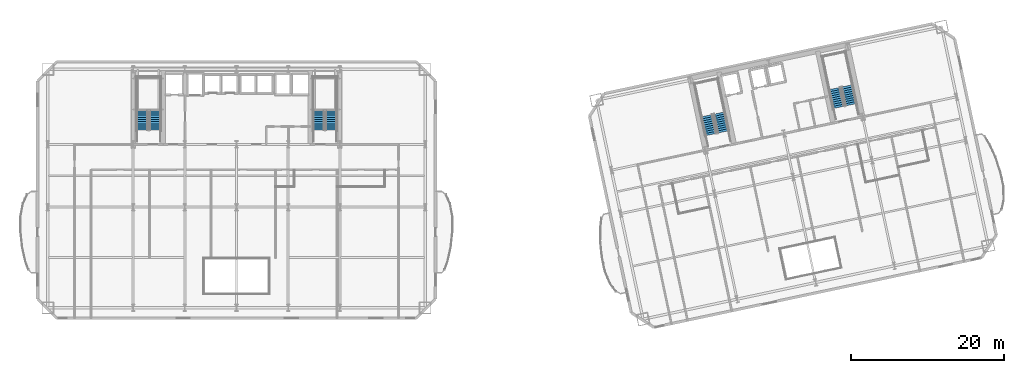
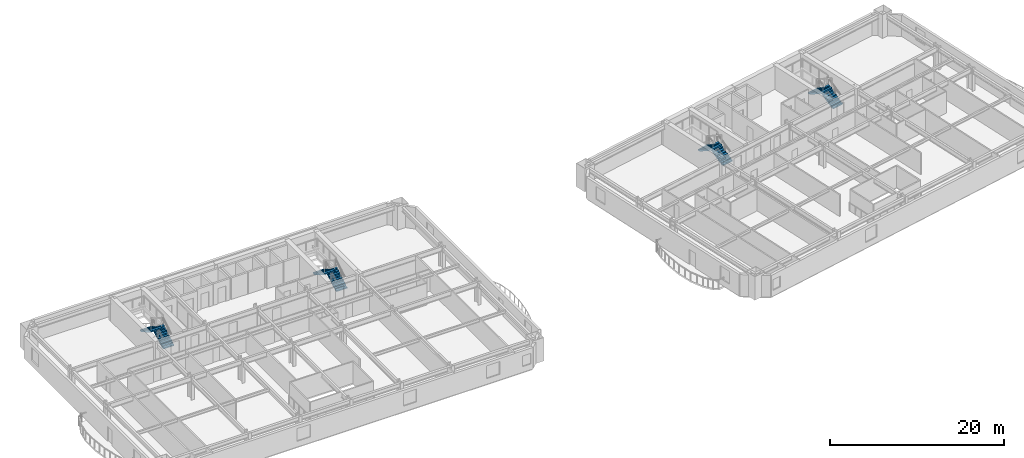
# One storey, part 10 of 16: 8 stair flights, 4 elements without a shape of their own.
"""IFC4 building model written with IfcOpenShell, lengths in metres."""

import ifcopenshell
import ifcopenshell.guid

model = None  # the IFC model being written
_history = None  # IfcOwnerHistory: only IFC2X3 demands one
_inside = {}  # id of a spatial element -> (the spatial element, [elements in it])
_under = {}  # id of a project, library or spatial element -> (it, [spatial elements below it])
_declared = {}  # id of a project -> (the project, [libraries it declares])
_typed = {}  # id of a type object -> (the type object, [elements of that type])
_made_of = {}  # id of a material, layer set ... -> (it, [elements and type objects made of it])


def new_model(schema):
    """Start an empty IFC model of exactly this schema.

    Asked for "IFC4X3", IfcOpenShell would pick the latest addendum, in which some entities
    have other attributes; the version numbers below select the first issue.
    IFC2X3 requires an IfcOwnerHistory on every rooted entity: one is made here for all.
    """
    global model, _history
    if schema == "IFC4X3":
        model = ifcopenshell.file(schema_version=(4, 3, 0, 0))
    else:
        model = ifcopenshell.file(schema=schema)
    _inside.clear()
    _under.clear()
    _declared.clear()
    _typed.clear()
    _made_of.clear()
    _history = None
    if model.schema == "IFC2X3":
        org = make("IfcOrganization", Name="unknown")
        user = make(
            "IfcPersonAndOrganization",
            ThePerson=make("IfcPerson", FamilyName="unknown"),
            TheOrganization=org,
        )
        app = make(
            "IfcApplication",
            ApplicationDeveloper=org,
            Version="unknown",
            ApplicationFullName="unknown",
            ApplicationIdentifier="unknown",
        )
        _history = make(
            "IfcOwnerHistory",
            OwningUser=user,
            OwningApplication=app,
            ChangeAction="ADDED",
            CreationDate=0,
        )
    return model


def make(cls, **values):
    """One entity of the class cls with the attributes given. An attribute that is None is left unset."""
    return model.create_entity(
        cls, **{name: value for name, value in values.items() if value is not None}
    )


def rooted(cls, **values):
    """An entity with a GlobalId (a new one), such as an element, a storey or a relation."""
    return make(cls, GlobalId=ifcopenshell.guid.new(), OwnerHistory=_history, **values)


def si_unit(unit_type, name, prefix=None):
    """IfcSIUnit, for example si_unit("LENGTHUNIT", "METRE", prefix="MILLI")."""
    return make("IfcSIUnit", UnitType=unit_type, Prefix=prefix, Name=name)


def assignment(units):
    """IfcUnitAssignment: the units of a project."""
    return None if units is None else make("IfcUnitAssignment", Units=units)


def point(xyz):
    """IfcCartesianPoint."""
    return None if xyz is None else make("IfcCartesianPoint", Coordinates=xyz)


def direction(xyz):
    """IfcDirection."""
    return None if xyz is None else make("IfcDirection", DirectionRatios=xyz)


def frame(location, z_axis=None, x_axis=None):
    """IfcAxis2Placement3D, a coordinate frame: its origin and axes. An axis left out is left unset."""
    return make(
        "IfcAxis2Placement3D",
        Location=point(location),
        Axis=direction(z_axis),
        RefDirection=direction(x_axis),
    )


def origin():
    """The frame at (0, 0, 0) with its axes left unset."""
    return frame((0.0, 0.0, 0.0))


def place(relative_to, where):
    """IfcLocalPlacement: puts the frame where relative to a parent placement (None: the world)."""
    return make(
        "IfcLocalPlacement", PlacementRelTo=relative_to, RelativePlacement=where
    )


def context(
    kind, dimensions, precision=None, world=None, true_north=None, identifier=None
):
    """IfcGeometricRepresentationContext, for example the 3D "Model" context."""
    return make(
        "IfcGeometricRepresentationContext",
        ContextIdentifier=identifier,
        ContextType=kind,
        CoordinateSpaceDimension=dimensions,
        Precision=precision,
        WorldCoordinateSystem=world,
        TrueNorth=true_north,
    )


def subcontext(parent, identifier, kind, view, scale=None):
    """IfcGeometricRepresentationSubContext, for example "Body" below "Model"."""
    return make(
        "IfcGeometricRepresentationSubContext",
        ContextIdentifier=identifier,
        ContextType=kind,
        ParentContext=parent,
        TargetScale=scale,
        TargetView=view,
    )


def project(units=None, contexts=None):
    """IfcProject with its units and contexts."""
    return rooted(
        "IfcProject",
        Name="project",
        RepresentationContexts=contexts,
        UnitsInContext=assignment(units),
    )


def spatial(cls, under=None, at=None, **own):
    """A site, building, storey or space (cls), placed at a placement, below another one or the project."""
    s = rooted(cls, ObjectPlacement=at, **own)
    if under is not None:
        _under.setdefault(under.id(), (under, []))[1].append(s)
    return s


def polyline(points):
    """IfcPolyline through the points."""
    return make("IfcPolyline", Points=[point(p) for p in points])


def outline(outer, holes=None, kind="AREA"):
    """IfcArbitraryClosedProfileDef: a profile drawn as a closed curve; with holes, ...WithVoids."""
    if holes is None:
        return make("IfcArbitraryClosedProfileDef", ProfileType=kind, OuterCurve=outer)
    return make(
        "IfcArbitraryProfileDefWithVoids",
        ProfileType=kind,
        OuterCurve=outer,
        InnerCurves=holes,
    )


def extrude(swept, where, along, depth):
    """IfcExtrudedAreaSolid: the profile swept, set in the frame where, extruded along a direction by depth."""
    return make(
        "IfcExtrudedAreaSolid",
        SweptArea=swept,
        Position=where,
        ExtrudedDirection=direction(along),
        Depth=depth,
    )


def shape(context_of_items, identifier, shape_type, items):
    """IfcShapeRepresentation: the items that make up one representation, for example the "Body"."""
    return make(
        "IfcShapeRepresentation",
        ContextOfItems=context_of_items,
        RepresentationIdentifier=identifier,
        RepresentationType=shape_type,
        Items=items,
    )


def material(Name=None, Category=None):
    """IfcMaterial."""
    return make("IfcMaterial", Name=Name, Category=Category)


def made_of(thing, what):
    """Note that an element or type object is made of a material, layer set ...; save() writes the relation."""
    if what is not None:
        _made_of.setdefault(what.id(), (what, []))[1].append(thing)
    return thing


def type_object(cls, material=None, **own):
    """A type object (cls), such as IfcWallType, which elements share."""
    return made_of(rooted(cls, **own), material)


def element(
    cls,
    number,
    at=None,
    inside=None,
    cuts=None,
    type_object=None,
    material=None,
    context=None,
    identifier="Body",
    shape_type=None,
    held_by="IfcProductDefinitionShape",
    body=None,
    shapes=None,
    **own,
):
    """One element of the class cls, such as IfcWall. Its Tag is "e" and its number.

    at: its placement. inside: the storey or other place that contains it. cuts: it is an
    opening in that element (IfcRelVoidsElement). A single representation is given by context,
    identifier, shape_type and body (its items); several are given by shapes. held_by: the class
    of the entity that holds the representations. save() writes the other relations.
    """
    e = rooted(cls, Tag="e%d" % number, ObjectPlacement=at, **own)
    if body is not None:
        shapes = [shape(context, identifier, shape_type, body)]
    if shapes is not None:
        e.Representation = make(held_by, Representations=shapes)
    if inside is not None:
        _inside.setdefault(inside.id(), (inside, []))[1].append(e)
    if cuts is not None:
        rooted(
            "IfcRelVoidsElement", RelatingBuildingElement=cuts, RelatedOpeningElement=e
        )
    if type_object is not None:
        _typed.setdefault(type_object.id(), (type_object, []))[1].append(e)
    return made_of(e, material)


def aggregate(whole, parts):
    """IfcRelAggregates: a whole, such as a stair, and the parts it consists of."""
    return rooted("IfcRelAggregates", RelatingObject=whole, RelatedObjects=parts)


def save(model, path):
    """Write the relations noted so far, then the file.

    IfcRelAggregates (storeys below a building ...), IfcRelContainedInSpatialStructure (elements
    in a storey), IfcRelDefinesByType, IfcRelAssociatesMaterial and IfcRelDeclares: one each for
    every whole, place, type object, material and project.
    """
    for whole, parts in _under.values():
        aggregate(whole, parts)
    for where, things in _inside.values():
        rooted(
            "IfcRelContainedInSpatialStructure",
            RelatedElements=things,
            RelatingStructure=where,
        )
    for kind, things in _typed.values():
        rooted("IfcRelDefinesByType", RelatedObjects=things, RelatingType=kind)
    for what, things in _made_of.values():
        rooted("IfcRelAssociatesMaterial", RelatedObjects=things, RelatingMaterial=what)
    for by, libraries in _declared.values():
        rooted("IfcRelDeclares", RelatingContext=by, RelatedDefinitions=libraries)
    model.write(path)


model = new_model("IFC4")

# Units and contexts
model_context = context("Model", 3, precision=1e-05, world=origin(), true_north=direction((0.0, 1.0)))
body_context = subcontext(model_context, "Body", "Model", "MODEL_VIEW")
ifc_project = project(units=[si_unit("LENGTHUNIT", "METRE"), si_unit("AREAUNIT", "SQUARE_METRE"), si_unit("VOLUMEUNIT", "CUBIC_METRE"), si_unit("PLANEANGLEUNIT", "RADIAN"), si_unit("MASSUNIT", "GRAM", prefix="KILO")], contexts=[model_context])

# Site, building, storey
site_placement = place(None, origin())
site = spatial("IfcSite", under=ifc_project, at=site_placement, CompositionType="ELEMENT")
building_placement = place(site_placement, origin())
building = spatial("IfcBuilding", under=site, at=building_placement, Name="Haevon Station Towers", CompositionType="ELEMENT")
storey_placement = place(building_placement, frame((0.0, 0.0, 53.699951171875)))
storey = spatial("IfcBuildingStorey", under=building, at=storey_placement, Name="L13", CompositionType="ELEMENT", Elevation=53.699951171875)

# Stair, stair flights
ifc_material = material(Name="Concrete C40/50", Category="concrete")
stair_type = type_object("IfcStairType", Name="STR-DL1450", PredefinedType="USERDEFINED", material=ifc_material)
stair_1_placement = place(storey_placement, origin())
stair_1 = element("IfcStair", 1, at=stair_1_placement, inside=storey, type_object=stair_type, Name="L13 Escape Stair ST1", ObjectType="TWO_RETURN_STAIR", PredefinedType="USERDEFINED")
stair_flight_type = type_object("IfcStairFlightType", Name="STF-ST1450", PredefinedType="STRAIGHT", material=ifc_material)
stair_flight_1_placement = place(storey_placement, frame((26.85498046875, 40.050048828125, 0.0), z_axis=(0.0, 0.0, 1.0), x_axis=(0.0, 1.0, 0.0)))
stair_flight_1 = element("IfcStairFlight", 2, at=stair_flight_1_placement, type_object=stair_flight_type, Name="L13 ST1 Flight 1", NumberOfRisers=10, NumberOfTreads=9, PredefinedType="STRAIGHT", RiserHeight=0.165, TreadLength=0.28, context=body_context, shape_type="SweptSolid", body=[
    extrude(outline(polyline([(0.0, 0.0), (0.0, 0.1650390625), (0.280029296875, 0.1650390625), (0.280029296875, 0.330078125), (0.56005859375, 0.330078125), (0.56005859375, 0.4951171875), (0.840087890625, 0.4951171875), (0.840087890625, 0.659912109375), (1.1201171875, 0.659912109375), (1.1201171875, 0.824951171875), (1.39990234375, 0.824951171875), (1.39990234375, 0.989990234375), (1.679931640625, 0.989990234375), (1.679931640625, 1.155029296875), (1.9599609375, 1.155029296875), (1.9599609375, 1.320068359375), (2.239990234375, 1.320068359375), (2.239990234375, 1.485107421875), (2.52001953125, 1.485107421875), (2.52001953125, 1.64990234375), (2.52001953125, 1.29931640625), (0.31494140625, 0.0), (0.0, 0.0)])), frame((0.0, 0.72509765625, 0.0), z_axis=(0.0, -1.0, 0.0), x_axis=(1.0, 0.0, 0.0)), (0.0, 0.0, 1.0), 1.449951171875),
])
stair_flight_2_placement = place(storey_placement, frame((25.205078125, 42.570068359375, 1.650146484375), z_axis=(0.0, 0.0, 1.0), x_axis=(0.0, -1.0, 0.0)))
stair_flight_2 = element("IfcStairFlight", 3, at=stair_flight_2_placement, type_object=stair_flight_type, Name="L13 ST1 Flight 2", NumberOfRisers=10, NumberOfTreads=9, PredefinedType="STRAIGHT", RiserHeight=0.165, TreadLength=0.28, context=body_context, shape_type="SweptSolid", body=[
    extrude(outline(polyline([(0.0, 0.0), (0.0, 0.1650390625), (0.280029296875, 0.1650390625), (0.280029296875, 0.330078125), (0.56005859375, 0.330078125), (0.56005859375, 0.4951171875), (0.840087890625, 0.4951171875), (0.840087890625, 0.659912109375), (1.1201171875, 0.659912109375), (1.1201171875, 0.824951171875), (1.39990234375, 0.824951171875), (1.39990234375, 0.989990234375), (1.679931640625, 0.989990234375), (1.679931640625, 1.155029296875), (1.9599609375, 1.155029296875), (1.9599609375, 1.320068359375), (2.239990234375, 1.320068359375), (2.239990234375, 1.485107421875), (2.52001953125, 1.485107421875), (2.52001953125, 1.64990234375), (2.52001953125, 1.29931640625), (0.31494140625, 0.0), (0.0, 0.0)])), frame((0.0, 0.72509765625, 0.0), z_axis=(0.0, -1.0, 0.0), x_axis=(1.0, 0.0, 0.0)), (0.0, 0.0, 1.0), 1.449951171875),
])
aggregate(stair_1, [stair_flight_1, stair_flight_2])

stair_2_placement = place(storey_placement, origin())
stair_2 = element("IfcStair", 4, at=stair_2_placement, inside=storey, type_object=stair_type, Name="L13 Escape Stair ST2", ObjectType="TWO_RETURN_STAIR", PredefinedType="USERDEFINED")
stair_flight_3_placement = place(storey_placement, frame((49.89501953125, 40.050048828125, 0.0), z_axis=(0.0, 0.0, 1.0), x_axis=(0.0, 1.0, 0.0)))
stair_flight_3 = element("IfcStairFlight", 5, at=stair_flight_3_placement, type_object=stair_flight_type, Name="L13 ST2 Flight 1", NumberOfRisers=10, NumberOfTreads=9, PredefinedType="STRAIGHT", RiserHeight=0.165, TreadLength=0.28, context=body_context, shape_type="SweptSolid", body=[
    extrude(outline(polyline([(0.0, 0.0), (0.0, 0.1650390625), (0.280029296875, 0.1650390625), (0.280029296875, 0.330078125), (0.56005859375, 0.330078125), (0.56005859375, 0.4951171875), (0.840087890625, 0.4951171875), (0.840087890625, 0.659912109375), (1.1201171875, 0.659912109375), (1.1201171875, 0.824951171875), (1.39990234375, 0.824951171875), (1.39990234375, 0.989990234375), (1.679931640625, 0.989990234375), (1.679931640625, 1.155029296875), (1.9599609375, 1.155029296875), (1.9599609375, 1.320068359375), (2.239990234375, 1.320068359375), (2.239990234375, 1.485107421875), (2.52001953125, 1.485107421875), (2.52001953125, 1.64990234375), (2.52001953125, 1.29931640625), (0.31494140625, 0.0), (0.0, 0.0)])), frame((0.0, 0.72509765625, 0.0), z_axis=(0.0, -1.0, 0.0), x_axis=(1.0, 0.0, 0.0)), (0.0, 0.0, 1.0), 1.449951171875),
])
stair_flight_4_placement = place(storey_placement, frame((48.2451171875, 42.570068359375, 1.650146484375), z_axis=(0.0, 0.0, 1.0), x_axis=(0.0, -1.0, 0.0)))
stair_flight_4 = element("IfcStairFlight", 6, at=stair_flight_4_placement, type_object=stair_flight_type, Name="L13 ST2 Flight 2", NumberOfRisers=10, NumberOfTreads=9, PredefinedType="STRAIGHT", RiserHeight=0.165, TreadLength=0.28, context=body_context, shape_type="SweptSolid", body=[
    extrude(outline(polyline([(0.0, 0.0), (0.0, 0.1650390625), (0.280029296875, 0.1650390625), (0.280029296875, 0.330078125), (0.56005859375, 0.330078125), (0.56005859375, 0.4951171875), (0.840087890625, 0.4951171875), (0.840087890625, 0.659912109375), (1.1201171875, 0.659912109375), (1.1201171875, 0.824951171875), (1.39990234375, 0.824951171875), (1.39990234375, 0.989990234375), (1.679931640625, 0.989990234375), (1.679931640625, 1.155029296875), (1.9599609375, 1.155029296875), (1.9599609375, 1.320068359375), (2.239990234375, 1.320068359375), (2.239990234375, 1.485107421875), (2.52001953125, 1.485107421875), (2.52001953125, 1.64990234375), (2.52001953125, 1.29931640625), (0.31494140625, 0.0), (0.0, 0.0)])), frame((0.0, 0.72509765625, 0.0), z_axis=(0.0, -1.0, 0.0), x_axis=(1.0, 0.0, 0.0)), (0.0, 0.0, 1.0), 1.449951171875),
])
aggregate(stair_2, [stair_flight_3, stair_flight_4])

stair_3_placement = place(storey_placement, origin())
stair_3 = element("IfcStair", 7, at=stair_3_placement, inside=storey, type_object=stair_type, Name="L13 Escape Stair ST3", ObjectType="TWO_RETURN_STAIR", PredefinedType="USERDEFINED")
stair_flight_5_placement = place(storey_placement, frame((101.1015625, 39.8330078125, 0.0), z_axis=(0.0, 0.0, 1.0), x_axis=(-0.207911690818, 0.978147600734, 0.0)))
stair_flight_5 = element("IfcStairFlight", 8, at=stair_flight_5_placement, type_object=stair_flight_type, Name="L13 ST3 Flight 1", NumberOfRisers=10, NumberOfTreads=9, PredefinedType="STRAIGHT", RiserHeight=0.165, TreadLength=0.28, context=body_context, shape_type="SweptSolid", body=[
    extrude(outline(polyline([(0.0, 0.0), (0.0, 0.1650390625), (0.280029296875, 0.1650390625), (0.280029296875, 0.330078125), (0.56005859375, 0.330078125), (0.56005859375, 0.4951171875), (0.840087890625, 0.4951171875), (0.840087890625, 0.659912109375), (1.1201171875, 0.659912109375), (1.1201171875, 0.824951171875), (1.39990234375, 0.824951171875), (1.39990234375, 0.989990234375), (1.679931640625, 0.989990234375), (1.679931640625, 1.155029296875), (1.9599609375, 1.155029296875), (1.9599609375, 1.320068359375), (2.239990234375, 1.320068359375), (2.239990234375, 1.485107421875), (2.52001953125, 1.485107421875), (2.52001953125, 1.64990234375), (2.52001953125, 1.29931640625), (0.31494140625, 0.0), (0.0, 0.0)])), frame((0.0, 0.72509765625, 0.0), z_axis=(0.0, -1.0, 0.0), x_axis=(1.0, 0.0, 0.0)), (0.0, 0.0, 1.0), 1.449951171875),
])
stair_flight_6_placement = place(storey_placement, frame((98.9638671875, 41.955078125, 1.650146484375), z_axis=(0.0, 0.0, 1.0), x_axis=(0.207911690818, -0.978147600734, 0.0)))
stair_flight_6 = element("IfcStairFlight", 9, at=stair_flight_6_placement, type_object=stair_flight_type, Name="L13 ST3 Flight 2", NumberOfRisers=10, NumberOfTreads=9, PredefinedType="STRAIGHT", RiserHeight=0.165, TreadLength=0.28, context=body_context, shape_type="SweptSolid", body=[
    extrude(outline(polyline([(0.0, 0.0), (0.0, 0.1650390625), (0.280029296875, 0.1650390625), (0.280029296875, 0.330078125), (0.56005859375, 0.330078125), (0.56005859375, 0.4951171875), (0.840087890625, 0.4951171875), (0.840087890625, 0.659912109375), (1.1201171875, 0.659912109375), (1.1201171875, 0.824951171875), (1.39990234375, 0.824951171875), (1.39990234375, 0.989990234375), (1.679931640625, 0.989990234375), (1.679931640625, 1.155029296875), (1.9599609375, 1.155029296875), (1.9599609375, 1.320068359375), (2.239990234375, 1.320068359375), (2.239990234375, 1.485107421875), (2.52001953125, 1.485107421875), (2.52001953125, 1.64990234375), (2.52001953125, 1.29931640625), (0.31494140625, 0.0), (0.0, 0.0)])), frame((0.0, 0.72509765625, 0.0), z_axis=(0.0, -1.0, 0.0), x_axis=(1.0, 0.0, 0.0)), (0.0, 0.0, 1.0), 1.449951171875),
])
aggregate(stair_3, [stair_flight_5, stair_flight_6])

stair_4_placement = place(storey_placement, origin())
stair_4 = element("IfcStair", 10, at=stair_4_placement, inside=storey, type_object=stair_type, Name="L13 Escape Stair ST4", ObjectType="TWO_RETURN_STAIR", PredefinedType="USERDEFINED")
stair_flight_7_placement = place(storey_placement, frame((117.788818359375, 43.380126953125, 0.0), z_axis=(0.0, 0.0, 1.0), x_axis=(-0.207911690818, 0.978147600734, 0.0)))
stair_flight_7 = element("IfcStairFlight", 11, at=stair_flight_7_placement, type_object=stair_flight_type, Name="L13 ST4 Flight 1", NumberOfRisers=10, NumberOfTreads=9, PredefinedType="STRAIGHT", RiserHeight=0.165, TreadLength=0.28, context=body_context, shape_type="SweptSolid", body=[
    extrude(outline(polyline([(0.0, 0.0), (0.0, 0.1650390625), (0.280029296875, 0.1650390625), (0.280029296875, 0.330078125), (0.56005859375, 0.330078125), (0.56005859375, 0.4951171875), (0.840087890625, 0.4951171875), (0.840087890625, 0.659912109375), (1.1201171875, 0.659912109375), (1.1201171875, 0.824951171875), (1.39990234375, 0.824951171875), (1.39990234375, 0.989990234375), (1.679931640625, 0.989990234375), (1.679931640625, 1.155029296875), (1.9599609375, 1.155029296875), (1.9599609375, 1.320068359375), (2.239990234375, 1.320068359375), (2.239990234375, 1.485107421875), (2.52001953125, 1.485107421875), (2.52001953125, 1.64990234375), (2.52001953125, 1.29931640625), (0.31494140625, 0.0), (0.0, 0.0)])), frame((0.0, 0.72509765625, 0.0), z_axis=(0.0, -1.0, 0.0), x_axis=(1.0, 0.0, 0.0)), (0.0, 0.0, 1.0), 1.449951171875),
])
stair_flight_8_placement = place(storey_placement, frame((115.65087890625, 45.501953125, 1.650146484375), z_axis=(0.0, 0.0, 1.0), x_axis=(0.207911690818, -0.978147600734, 0.0)))
stair_flight_8 = element("IfcStairFlight", 12, at=stair_flight_8_placement, type_object=stair_flight_type, Name="L13 ST4 Flight 2", NumberOfRisers=10, NumberOfTreads=9, PredefinedType="STRAIGHT", RiserHeight=0.165, TreadLength=0.28, context=body_context, shape_type="SweptSolid", body=[
    extrude(outline(polyline([(0.0, 0.0), (0.0, 0.1650390625), (0.280029296875, 0.1650390625), (0.280029296875, 0.330078125), (0.56005859375, 0.330078125), (0.56005859375, 0.4951171875), (0.840087890625, 0.4951171875), (0.840087890625, 0.659912109375), (1.1201171875, 0.659912109375), (1.1201171875, 0.824951171875), (1.39990234375, 0.824951171875), (1.39990234375, 0.989990234375), (1.679931640625, 0.989990234375), (1.679931640625, 1.155029296875), (1.9599609375, 1.155029296875), (1.9599609375, 1.320068359375), (2.239990234375, 1.320068359375), (2.239990234375, 1.485107421875), (2.52001953125, 1.485107421875), (2.52001953125, 1.64990234375), (2.52001953125, 1.29931640625), (0.31494140625, 0.0), (0.0, 0.0)])), frame((0.0, 0.72509765625, 0.0), z_axis=(0.0, -1.0, 0.0), x_axis=(1.0, 0.0, 0.0)), (0.0, 0.0, 1.0), 1.449951171875),
])
aggregate(stair_4, [stair_flight_7, stair_flight_8])

save(model, "model.ifc")
